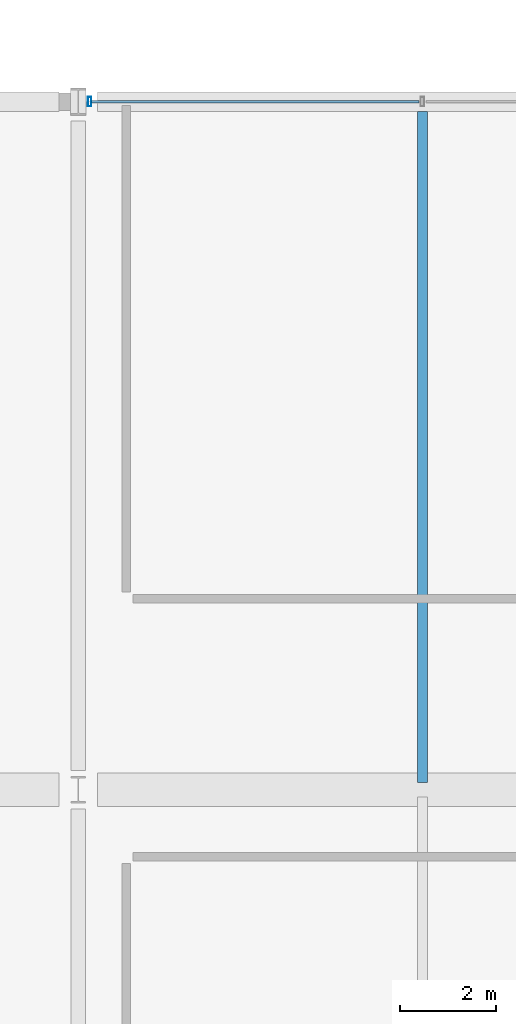
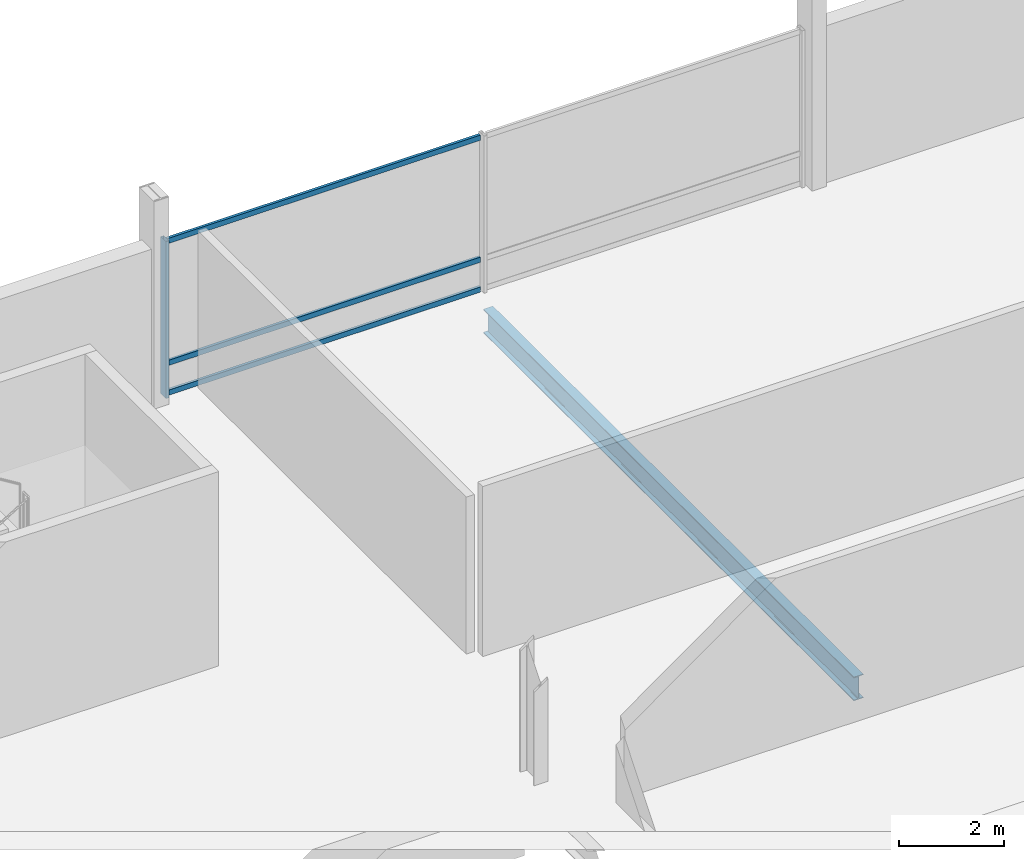
# One storey, part 123 of 220: 4 members, 1 beam, 1 element without a shape of its own.
"""IFC4 building model written with IfcOpenShell, lengths in metres."""

import ifcopenshell
import ifcopenshell.guid

model = None  # the IFC model being written
_history = None  # IfcOwnerHistory: only IFC2X3 demands one
_inside = {}  # id of a spatial element -> (the spatial element, [elements in it])
_under = {}  # id of a project, library or spatial element -> (it, [spatial elements below it])
_declared = {}  # id of a project -> (the project, [libraries it declares])
_typed = {}  # id of a type object -> (the type object, [elements of that type])
_made_of = {}  # id of a material, layer set ... -> (it, [elements and type objects made of it])


def new_model(schema):
    """Start an empty IFC model of exactly this schema.

    Asked for "IFC4X3", IfcOpenShell would pick the latest addendum, in which some entities
    have other attributes; the version numbers below select the first issue.
    IFC2X3 requires an IfcOwnerHistory on every rooted entity: one is made here for all.
    """
    global model, _history
    if schema == "IFC4X3":
        model = ifcopenshell.file(schema_version=(4, 3, 0, 0))
    else:
        model = ifcopenshell.file(schema=schema)
    _inside.clear()
    _under.clear()
    _declared.clear()
    _typed.clear()
    _made_of.clear()
    _history = None
    if model.schema == "IFC2X3":
        org = make("IfcOrganization", Name="unknown")
        user = make(
            "IfcPersonAndOrganization",
            ThePerson=make("IfcPerson", FamilyName="unknown"),
            TheOrganization=org,
        )
        app = make(
            "IfcApplication",
            ApplicationDeveloper=org,
            Version="unknown",
            ApplicationFullName="unknown",
            ApplicationIdentifier="unknown",
        )
        _history = make(
            "IfcOwnerHistory",
            OwningUser=user,
            OwningApplication=app,
            ChangeAction="ADDED",
            CreationDate=0,
        )
    return model


def make(cls, **values):
    """One entity of the class cls with the attributes given. An attribute that is None is left unset."""
    return model.create_entity(
        cls, **{name: value for name, value in values.items() if value is not None}
    )


def rooted(cls, **values):
    """An entity with a GlobalId (a new one), such as an element, a storey or a relation."""
    return make(cls, GlobalId=ifcopenshell.guid.new(), OwnerHistory=_history, **values)


def si_unit(unit_type, name, prefix=None):
    """IfcSIUnit, for example si_unit("LENGTHUNIT", "METRE", prefix="MILLI")."""
    return make("IfcSIUnit", UnitType=unit_type, Prefix=prefix, Name=name)


def assignment(units):
    """IfcUnitAssignment: the units of a project."""
    return None if units is None else make("IfcUnitAssignment", Units=units)


def point(xyz):
    """IfcCartesianPoint."""
    return None if xyz is None else make("IfcCartesianPoint", Coordinates=xyz)


def direction(xyz):
    """IfcDirection."""
    return None if xyz is None else make("IfcDirection", DirectionRatios=xyz)


def frame(location, z_axis=None, x_axis=None):
    """IfcAxis2Placement3D, a coordinate frame: its origin and axes. An axis left out is left unset."""
    return make(
        "IfcAxis2Placement3D",
        Location=point(location),
        Axis=direction(z_axis),
        RefDirection=direction(x_axis),
    )


def frame_2d(location, x_axis=None):
    """IfcAxis2Placement2D, a coordinate frame in the plane: its origin and x axis."""
    return make(
        "IfcAxis2Placement2D", Location=point(location), RefDirection=direction(x_axis)
    )


def origin():
    """The frame at (0, 0, 0) with its axes left unset."""
    return frame((0.0, 0.0, 0.0))


def origin_2d():
    """The frame at (0, 0) in the plane with its x axis left unset."""
    return frame_2d((0.0, 0.0))


def place(relative_to, where):
    """IfcLocalPlacement: puts the frame where relative to a parent placement (None: the world)."""
    return make(
        "IfcLocalPlacement", PlacementRelTo=relative_to, RelativePlacement=where
    )


def context(
    kind, dimensions, precision=None, world=None, true_north=None, identifier=None
):
    """IfcGeometricRepresentationContext, for example the 3D "Model" context."""
    return make(
        "IfcGeometricRepresentationContext",
        ContextIdentifier=identifier,
        ContextType=kind,
        CoordinateSpaceDimension=dimensions,
        Precision=precision,
        WorldCoordinateSystem=world,
        TrueNorth=true_north,
    )


def subcontext(parent, identifier, kind, view, scale=None):
    """IfcGeometricRepresentationSubContext, for example "Body" below "Model"."""
    return make(
        "IfcGeometricRepresentationSubContext",
        ContextIdentifier=identifier,
        ContextType=kind,
        ParentContext=parent,
        TargetScale=scale,
        TargetView=view,
    )


def project(units=None, contexts=None):
    """IfcProject with its units and contexts."""
    return rooted(
        "IfcProject",
        Name="project",
        RepresentationContexts=contexts,
        UnitsInContext=assignment(units),
    )


def spatial(cls, under=None, at=None, **own):
    """A site, building, storey or space (cls), placed at a placement, below another one or the project."""
    s = rooted(cls, ObjectPlacement=at, **own)
    if under is not None:
        _under.setdefault(under.id(), (under, []))[1].append(s)
    return s


def profile(cls, at=None, kind="AREA", **sizes):
    """A parametric profile (cls). Its sizes go by their IFC names, for example OverallWidth=200.0."""
    return make(cls, ProfileType=kind, Position=at, **sizes)


def hollow_rectangle(**sizes):
    """IfcRectangleHollowProfileDef."""
    return profile("IfcRectangleHollowProfileDef", **sizes)


def i_section(**sizes):
    """IfcIShapeProfileDef."""
    return profile("IfcIShapeProfileDef", **sizes)


def extrude(swept, where, along, depth):
    """IfcExtrudedAreaSolid: the profile swept, set in the frame where, extruded along a direction by depth."""
    return make(
        "IfcExtrudedAreaSolid",
        SweptArea=swept,
        Position=where,
        ExtrudedDirection=direction(along),
        Depth=depth,
    )


def shape(context_of_items, identifier, shape_type, items):
    """IfcShapeRepresentation: the items that make up one representation, for example the "Body"."""
    return make(
        "IfcShapeRepresentation",
        ContextOfItems=context_of_items,
        RepresentationIdentifier=identifier,
        RepresentationType=shape_type,
        Items=items,
    )


def material(Name=None, Category=None):
    """IfcMaterial."""
    return make("IfcMaterial", Name=Name, Category=Category)


def material_profile(
    of_material, cross_section, Name=None, Category=None, Priority=None
):
    """IfcMaterialProfile: a cross section and its material."""
    return make(
        "IfcMaterialProfile",
        Name=Name,
        Material=of_material,
        Profile=cross_section,
        Priority=Priority,
        Category=Category,
    )


def profile_set(profiles, Name=None, composite=None):
    """IfcMaterialProfileSet."""
    return make(
        "IfcMaterialProfileSet",
        Name=Name,
        MaterialProfiles=profiles,
        CompositeProfile=composite,
    )


def made_of(thing, what):
    """Note that an element or type object is made of a material, layer set ...; save() writes the relation."""
    if what is not None:
        _made_of.setdefault(what.id(), (what, []))[1].append(thing)
    return thing


def type_object(cls, material=None, **own):
    """A type object (cls), such as IfcWallType, which elements share."""
    return made_of(rooted(cls, **own), material)


def element(
    cls,
    number,
    at=None,
    inside=None,
    cuts=None,
    type_object=None,
    material=None,
    context=None,
    identifier="Body",
    shape_type=None,
    held_by="IfcProductDefinitionShape",
    body=None,
    shapes=None,
    **own,
):
    """One element of the class cls, such as IfcWall. Its Tag is "e" and its number.

    at: its placement. inside: the storey or other place that contains it. cuts: it is an
    opening in that element (IfcRelVoidsElement). A single representation is given by context,
    identifier, shape_type and body (its items); several are given by shapes. held_by: the class
    of the entity that holds the representations. save() writes the other relations.
    """
    e = rooted(cls, Tag="e%d" % number, ObjectPlacement=at, **own)
    if body is not None:
        shapes = [shape(context, identifier, shape_type, body)]
    if shapes is not None:
        e.Representation = make(held_by, Representations=shapes)
    if inside is not None:
        _inside.setdefault(inside.id(), (inside, []))[1].append(e)
    if cuts is not None:
        rooted(
            "IfcRelVoidsElement", RelatingBuildingElement=cuts, RelatedOpeningElement=e
        )
    if type_object is not None:
        _typed.setdefault(type_object.id(), (type_object, []))[1].append(e)
    return made_of(e, material)


def aggregate(whole, parts):
    """IfcRelAggregates: a whole, such as a stair, and the parts it consists of."""
    return rooted("IfcRelAggregates", RelatingObject=whole, RelatedObjects=parts)


def save(model, path):
    """Write the relations noted so far, then the file.

    IfcRelAggregates (storeys below a building ...), IfcRelContainedInSpatialStructure (elements
    in a storey), IfcRelDefinesByType, IfcRelAssociatesMaterial and IfcRelDeclares: one each for
    every whole, place, type object, material and project.
    """
    for whole, parts in _under.values():
        aggregate(whole, parts)
    for where, things in _inside.values():
        rooted(
            "IfcRelContainedInSpatialStructure",
            RelatedElements=things,
            RelatingStructure=where,
        )
    for kind, things in _typed.values():
        rooted("IfcRelDefinesByType", RelatedObjects=things, RelatingType=kind)
    for what, things in _made_of.values():
        rooted("IfcRelAssociatesMaterial", RelatedObjects=things, RelatingMaterial=what)
    for by, libraries in _declared.values():
        rooted("IfcRelDeclares", RelatingContext=by, RelatedDefinitions=libraries)
    model.write(path)


model = new_model("IFC4")

# Units and contexts
model_context = context("Model", 3, precision=1e-05, world=origin(), true_north=direction((0.0, 1.0)))
body_context = subcontext(model_context, "Body", "Model", "MODEL_VIEW")
ifc_project = project(units=[si_unit("LENGTHUNIT", "METRE"), si_unit("AREAUNIT", "SQUARE_METRE"), si_unit("VOLUMEUNIT", "CUBIC_METRE"), si_unit("PLANEANGLEUNIT", "RADIAN"), si_unit("MASSUNIT", "GRAM", prefix="KILO")], contexts=[model_context])

# Site, building, storey
site_placement = place(None, origin())
site = spatial("IfcSite", under=ifc_project, at=site_placement, CompositionType="ELEMENT")
building_placement = place(site_placement, origin())
building = spatial("IfcBuilding", under=site, at=building_placement, Name="Cendralis Lancet Convention Centre", CompositionType="ELEMENT")
storey_placement = place(building_placement, frame((0.0, 0.0, 5.39990234375)))
storey = spatial("IfcBuildingStorey", under=building, at=storey_placement, Name="L01", CompositionType="ELEMENT", Elevation=5.39990234375)

# Curtain wall, members
ifc_material_1 = material(Name="Anodised bronze architectural aluminium", Category="aluminium")
curtain_wall_type = type_object("IfcCurtainWallType", Name="ARC-CW-BL01", PredefinedType="USERDEFINED", material=ifc_material_1)
curtain_wall_placement = place(storey_placement, origin())
curtain_wall = element("IfcCurtainWall", 1, at=curtain_wall_placement, inside=storey, type_object=curtain_wall_type, Name="L01 Curtain Wall CW-BL1 #148", ObjectType="CURTAIN WALL", PredefinedType="USERDEFINED")
ifc_material_profile_1 = material_profile(ifc_material_1, hollow_rectangle(XDim=0.070068359375, YDim=0.199951171875, WallThickness=0.0048828125, at=origin_2d()), Name="AL-MULL 70x200x5.0")
ifc_profile_set_1 = profile_set([ifc_material_profile_1], Name="Anodised bronze architectural aluminium")
member_type_1 = type_object("IfcMemberType", Name="ARC-CW-ML02", PredefinedType="MULLION", material=ifc_profile_set_1)
member_1_placement = place(storey_placement, frame((153.8349609375, 136.800048828125, 0.0), z_axis=(0.0, 0.0, 1.0), x_axis=(1.0, 0.0, 0.0)))
member_1 = element("IfcMember", 2, at=member_1_placement, type_object=member_type_1, Name="Mullion CW2-CW-BL1-L01-148-M0", PredefinedType="MULLION", context=body_context, shape_type="SweptSolid", body=[
    extrude(hollow_rectangle(XDim=0.070068359375, YDim=0.199951171875, WallThickness=0.0048828125, at=origin_2d()), origin(), (0.0, 0.0, 1.0), 3.635009765625),
])
ifc_material_profile_2 = material_profile(ifc_material_1, hollow_rectangle(XDim=0.06005859375, YDim=0.1201171875, WallThickness=0.00390625, at=origin_2d()), Name="AL-TRAN 60x120x4.0")
ifc_profile_set_2 = profile_set([ifc_material_profile_2], Name="Anodised bronze architectural aluminium")
member_type_2 = type_object("IfcMemberType", Name="ARC-CW-TR01", PredefinedType="USERDEFINED", material=ifc_profile_set_2)
member_2_placement = place(storey_placement, frame((153.8701171875, 136.800048828125, 0.06005859375), z_axis=(1.0, 0.0, 0.0), x_axis=(0.0, 1.0, 0.0)))
member_2 = element("IfcMember", 3, at=member_2_placement, type_object=member_type_2, Name="Transom CW2-CW-BL1-L01-148-T0BOT", ObjectType="TRANSOM", PredefinedType="USERDEFINED", context=body_context, shape_type="SweptSolid", body=[
    extrude(hollow_rectangle(XDim=0.06005859375, YDim=0.1201171875, WallThickness=0.00390625, at=origin_2d()), origin(), (0.0, 0.0, 1.0), 6.85986328125),
])
member_3_placement = place(storey_placement, frame((153.8701171875, 136.800048828125, 0.75), z_axis=(1.0, 0.0, 0.0), x_axis=(0.0, 1.0, 0.0)))
member_3 = element("IfcMember", 4, at=member_3_placement, type_object=member_type_2, Name="Transom CW2-CW-BL1-L01-148-T0MID", ObjectType="TRANSOM", PredefinedType="USERDEFINED", context=body_context, shape_type="SweptSolid", body=[
    extrude(hollow_rectangle(XDim=0.06005859375, YDim=0.1201171875, WallThickness=0.00390625, at=origin_2d()), origin(), (0.0, 0.0, 1.0), 6.85986328125),
])
member_4_placement = place(storey_placement, frame((153.8701171875, 136.800048828125, 3.5751953125), z_axis=(1.0, 0.0, 0.0), x_axis=(0.0, 1.0, 0.0)))
member_4 = element("IfcMember", 5, at=member_4_placement, type_object=member_type_2, Name="Transom CW2-CW-BL1-L01-148-T0TOP", ObjectType="TRANSOM", PredefinedType="USERDEFINED", context=body_context, shape_type="SweptSolid", body=[
    extrude(hollow_rectangle(XDim=0.06005859375, YDim=0.1201171875, WallThickness=0.00390625, at=origin_2d()), origin(), (0.0, 0.0, 1.0), 6.85986328125),
])
aggregate(curtain_wall, [member_1, member_2, member_3, member_4])

# Beam
ifc_material_2 = material(Name="Steel S355", Category="steel")
ifc_material_profile_3 = material_profile(ifc_material_2, i_section(OverallWidth=0.2099609375, OverallDepth=0.550048828125, WebThickness=0.010986328125, FlangeThickness=0.01708984375, FilletRadius=0.02392578125, at=origin_2d()), Name="IPE 550")
ifc_profile_set_3 = profile_set([ifc_material_profile_3], Name="Steel S355")
beam_type = type_object("IfcBeamType", Name="STR-JS-BJ05", PredefinedType="JOIST", material=ifc_profile_set_3)
beam_placement = place(storey_placement, frame((160.800048828125, 122.550048828125, -0.554931640625), z_axis=(0.0, 1.0, 0.0), x_axis=(-1.0, 0.0, 0.0)))
element("IfcBeam", 6, at=beam_placement, inside=storey, type_object=beam_type, Name="L01 Beam BJ05 #1688", PredefinedType="JOIST", context=body_context, shape_type="SweptSolid", body=[
    extrude(i_section(OverallWidth=0.2099609375, OverallDepth=0.550048828125, WebThickness=0.010986328125, FlangeThickness=0.01708984375, FilletRadius=0.02392578125, at=origin_2d()), origin(), (0.0, 0.0, 1.0), 14.050048828125),
])

save(model, "model.ifc")
